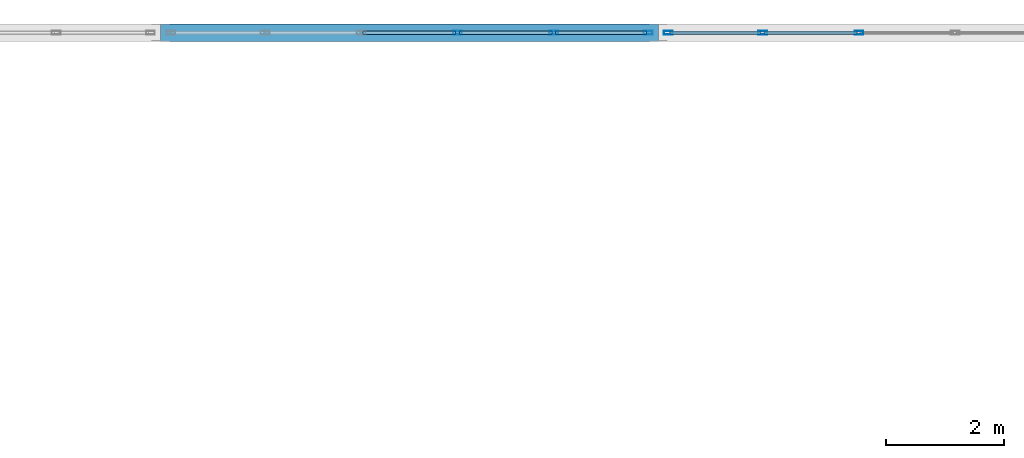
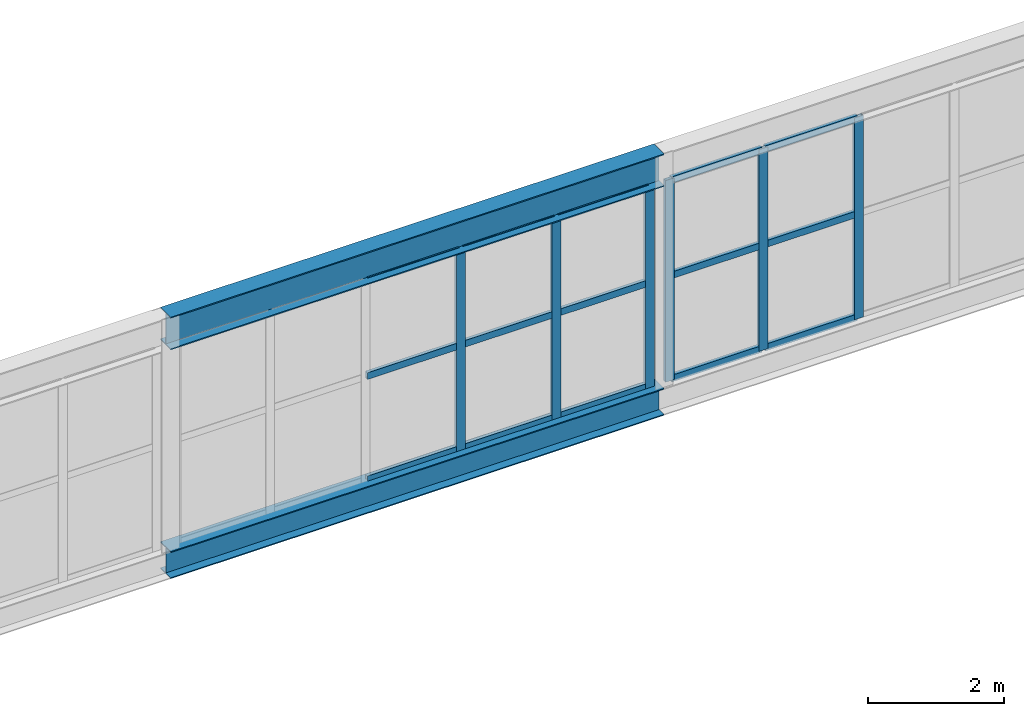
# One storey, part 163 of 218: 21 members, 2 beams, 2 elements without a shape of their own.
"""IFC4 building model written with IfcOpenShell, lengths in metres."""

from ifc_helpers import new_model, si_unit, direction, frame, origin, origin_2d, place, context, subcontext, project, spatial, hollow_rectangle, i_section, extrude, material, material_profile, profile_set, type_object, element, aggregate, save


model = new_model("IFC4")

# Units and contexts
model_context = context("Model", 3, precision=1e-05, world=origin(), true_north=direction((0.0, 1.0)))
body_context = subcontext(model_context, "Body", "Model", "MODEL_VIEW")
ifc_project = project(units=[si_unit("LENGTHUNIT", "METRE"), si_unit("AREAUNIT", "SQUARE_METRE"), si_unit("VOLUMEUNIT", "CUBIC_METRE"), si_unit("PLANEANGLEUNIT", "RADIAN"), si_unit("MASSUNIT", "GRAM", prefix="KILO")], contexts=[model_context])

# Site, building, storey
site_placement = place(None, origin())
site = spatial("IfcSite", under=ifc_project, at=site_placement, CompositionType="ELEMENT")
building_placement = place(site_placement, origin())
building = spatial("IfcBuilding", under=site, at=building_placement, Name="Kazenagashi Tramway Depot", CompositionType="ELEMENT")
storey_placement = place(building_placement, frame((0.0, 0.0, 6.0)))
storey = spatial("IfcBuildingStorey", under=building, at=storey_placement, Name="L02", CompositionType="ELEMENT", Elevation=6.0)

# Curtain wall, members
ifc_material_1 = material(Name="Anodised Aluminium and Low-E Glazing", Category="aluminium")
curtain_wall_type = type_object("IfcCurtainWallType", Name="CW-15", PredefinedType="USERDEFINED", material=ifc_material_1)
curtain_wall_1_placement = place(storey_placement, origin())
curtain_wall_1 = element("IfcCurtainWall", 1, at=curtain_wall_1_placement, inside=storey, type_object=curtain_wall_type, Name="Industrial Glazed Screen CW-15 CW-0062", ObjectType="GLAZED SCREEN", PredefinedType="USERDEFINED")
ifc_material_2 = material(Name="Anodised Aluminium", Category="aluminium")
ifc_material_profile_1 = material_profile(ifc_material_2, hollow_rectangle(XDim=0.06, YDim=0.15, WallThickness=0.004, at=origin_2d()), Name="RHS-150x60x4")
ifc_profile_set_1 = profile_set([ifc_material_profile_1], Name="Anodised Aluminium")
member_type_1 = type_object("IfcMemberType", Name="ML-01", PredefinedType="MULLION", material=ifc_profile_set_1)
member_1_placement = place(storey_placement, frame((75.012, 130.0, -0.02), z_axis=(0.0, 0.0, 1.0), x_axis=(0.0, 1.0, 0.0)))
member_1 = element("IfcMember", 2, at=member_1_placement, type_object=member_type_1, Name="CW-15 mullion 4", PredefinedType="MULLION", context=body_context, shape_type="SweptSolid", body=[
    extrude(hollow_rectangle(XDim=0.06, YDim=0.15, WallThickness=0.004, at=origin_2d()), origin(), (0.0, 0.0, 1.0), 3.632),
])
member_2_placement = place(storey_placement, frame((76.636, 130.0, -0.02), z_axis=(0.0, 0.0, 1.0), x_axis=(0.0, 1.0, 0.0)))
member_2 = element("IfcMember", 3, at=member_2_placement, type_object=member_type_1, Name="CW-15 mullion 5", PredefinedType="MULLION", context=body_context, shape_type="SweptSolid", body=[
    extrude(hollow_rectangle(XDim=0.06, YDim=0.15, WallThickness=0.004, at=origin_2d()), origin(), (0.0, 0.0, 1.0), 3.632),
])
member_3_placement = place(storey_placement, frame((78.23, 130.0, -0.02), z_axis=(0.0, 0.0, 1.0), x_axis=(0.0, 1.0, 0.0)))
member_3 = element("IfcMember", 4, at=member_3_placement, type_object=member_type_1, Name="CW-15 mullion 6", PredefinedType="MULLION", context=body_context, shape_type="SweptSolid", body=[
    extrude(hollow_rectangle(XDim=0.06, YDim=0.15, WallThickness=0.004, at=origin_2d()), origin(), (0.0, 0.0, 1.0), 3.632),
])

curtain_wall_2_placement = place(storey_placement, origin())
curtain_wall_2 = element("IfcCurtainWall", 5, at=curtain_wall_2_placement, inside=storey, type_object=curtain_wall_type, Name="Industrial Glazed Screen CW-15 CW-0065", ObjectType="GLAZED SCREEN", PredefinedType="USERDEFINED")
member_4_placement = place(storey_placement, frame((78.57, 130.0, -0.02), z_axis=(0.0, 0.0, 1.0), x_axis=(0.0, 1.0, 0.0)))
member_4 = element("IfcMember", 6, at=member_4_placement, type_object=member_type_1, Name="CW-15 mullion 1", PredefinedType="MULLION", context=body_context, shape_type="SweptSolid", body=[
    extrude(hollow_rectangle(XDim=0.06, YDim=0.15, WallThickness=0.004, at=origin_2d()), origin(), (0.0, 0.0, 1.0), 3.632),
])
member_5_placement = place(storey_placement, frame((80.164, 130.0, -0.02), z_axis=(0.0, 0.0, 1.0), x_axis=(0.0, 1.0, 0.0)))
member_5 = element("IfcMember", 7, at=member_5_placement, type_object=member_type_1, Name="CW-15 mullion 2", PredefinedType="MULLION", context=body_context, shape_type="SweptSolid", body=[
    extrude(hollow_rectangle(XDim=0.06, YDim=0.15, WallThickness=0.004, at=origin_2d()), origin(), (0.0, 0.0, 1.0), 3.632),
])
member_6_placement = place(storey_placement, frame((81.788, 130.0, -0.02), z_axis=(0.0, 0.0, 1.0), x_axis=(0.0, 1.0, 0.0)))
member_6 = element("IfcMember", 8, at=member_6_placement, type_object=member_type_1, Name="CW-15 mullion 3", PredefinedType="MULLION", context=body_context, shape_type="SweptSolid", body=[
    extrude(hollow_rectangle(XDim=0.06, YDim=0.15, WallThickness=0.004, at=origin_2d()), origin(), (0.0, 0.0, 1.0), 3.632),
])

# Beams
ifc_material_3 = material(Name="Steel SN490B", Category="steel")
ifc_material_profile_2 = material_profile(ifc_material_3, i_section(OverallWidth=0.3, OverallDepth=0.588, WebThickness=0.012, FlangeThickness=0.02, at=origin_2d()), Name="H-588x300x12x20")
ifc_profile_set_2 = profile_set([ifc_material_profile_2], Name="Steel SN490B")
beam_type_1 = type_object("IfcBeamType", Name="SP-01", PredefinedType="SPANDREL", material=ifc_profile_set_2)
beam_1_placement = place(storey_placement, frame((70.0, 130.0, 3.906), z_axis=(1.0, 0.0, 0.0), x_axis=(0.0, 1.0, 0.0)))
element("IfcBeam", 9, at=beam_1_placement, inside=storey, type_object=beam_type_1, Name="Beam SP-01 BM-1883", PredefinedType="SPANDREL", context=body_context, shape_type="SweptSolid", body=[
    extrude(i_section(OverallWidth=0.3, OverallDepth=0.588, WebThickness=0.012, FlangeThickness=0.02, at=origin_2d()), origin(), (0.0, 0.0, 1.0), 8.4),
])
ifc_material_profile_3 = material_profile(ifc_material_3, i_section(OverallWidth=0.3, OverallDepth=0.488, WebThickness=0.011, FlangeThickness=0.018, at=origin_2d()), Name="H-488x300x11x18")
ifc_profile_set_3 = profile_set([ifc_material_profile_3], Name="Steel SN490B")
beam_type_2 = type_object("IfcBeamType", Name="SP-02", PredefinedType="SPANDREL", material=ifc_profile_set_3)
beam_2_placement = place(storey_placement, frame((70.0, 130.0, -0.264), z_axis=(1.0, 0.0, 0.0), x_axis=(0.0, 1.0, 0.0)))
element("IfcBeam", 10, at=beam_2_placement, inside=storey, type_object=beam_type_2, Name="Beam SP-02 BM-1827", PredefinedType="SPANDREL", context=body_context, shape_type="SweptSolid", body=[
    extrude(i_section(OverallWidth=0.3, OverallDepth=0.488, WebThickness=0.011, FlangeThickness=0.018, at=origin_2d()), origin(), (0.0, 0.0, 1.0), 8.4),
])

# Member
ifc_material_profile_4 = material_profile(ifc_material_2, hollow_rectangle(XDim=0.06, YDim=0.12, WallThickness=0.004, at=origin_2d()), Name="RHS-120x60x4")
ifc_profile_set_4 = profile_set([ifc_material_profile_4], Name="Anodised Aluminium")
member_type_2 = type_object("IfcMemberType", Name="TR-01", PredefinedType="USERDEFINED", material=ifc_profile_set_4)
member_7_placement = place(storey_placement, frame((73.418, 130.0, 0.01), z_axis=(1.0, 0.0, 0.0), x_axis=(0.0, 1.0, 0.0)))
member_7 = element("IfcMember", 11, at=member_7_placement, type_object=member_type_2, Name="CW-15 transom 3.1", ObjectType="TRANSOM", PredefinedType="USERDEFINED", context=body_context, shape_type="SweptSolid", body=[
    extrude(hollow_rectangle(XDim=0.06, YDim=0.12, WallThickness=0.004, at=origin_2d()), origin(), (0.0, 0.0, 1.0), 1.564),
])

member_8_placement = place(storey_placement, frame((73.418, 130.0, 1.869), z_axis=(1.0, 0.0, 0.0), x_axis=(0.0, 1.0, 0.0)))
member_8 = element("IfcMember", 12, at=member_8_placement, type_object=member_type_2, Name="CW-15 transom 3.2", ObjectType="TRANSOM", PredefinedType="USERDEFINED", context=body_context, shape_type="SweptSolid", body=[
    extrude(hollow_rectangle(XDim=0.06, YDim=0.12, WallThickness=0.004, at=origin_2d()), origin(), (0.0, 0.0, 1.0), 1.564),
])

member_9_placement = place(storey_placement, frame((73.418, 130.0, 3.582), z_axis=(1.0, 0.0, 0.0), x_axis=(0.0, 1.0, 0.0)))
member_9 = element("IfcMember", 13, at=member_9_placement, type_object=member_type_2, Name="CW-15 transom 3.3", ObjectType="TRANSOM", PredefinedType="USERDEFINED", context=body_context, shape_type="SweptSolid", body=[
    extrude(hollow_rectangle(XDim=0.06, YDim=0.12, WallThickness=0.004, at=origin_2d()), origin(), (0.0, 0.0, 1.0), 1.564),
])

member_10_placement = place(storey_placement, frame((75.042, 130.0, 0.01), z_axis=(1.0, 0.0, 0.0), x_axis=(0.0, 1.0, 0.0)))
member_10 = element("IfcMember", 14, at=member_10_placement, type_object=member_type_2, Name="CW-15 transom 4.1", ObjectType="TRANSOM", PredefinedType="USERDEFINED", context=body_context, shape_type="SweptSolid", body=[
    extrude(hollow_rectangle(XDim=0.06, YDim=0.12, WallThickness=0.004, at=origin_2d()), origin(), (0.0, 0.0, 1.0), 1.564),
])

member_11_placement = place(storey_placement, frame((75.042, 130.0, 1.869), z_axis=(1.0, 0.0, 0.0), x_axis=(0.0, 1.0, 0.0)))
member_11 = element("IfcMember", 15, at=member_11_placement, type_object=member_type_2, Name="CW-15 transom 4.2", ObjectType="TRANSOM", PredefinedType="USERDEFINED", context=body_context, shape_type="SweptSolid", body=[
    extrude(hollow_rectangle(XDim=0.06, YDim=0.12, WallThickness=0.004, at=origin_2d()), origin(), (0.0, 0.0, 1.0), 1.564),
])

member_12_placement = place(storey_placement, frame((75.042, 130.0, 3.582), z_axis=(1.0, 0.0, 0.0), x_axis=(0.0, 1.0, 0.0)))
member_12 = element("IfcMember", 16, at=member_12_placement, type_object=member_type_2, Name="CW-15 transom 4.3", ObjectType="TRANSOM", PredefinedType="USERDEFINED", context=body_context, shape_type="SweptSolid", body=[
    extrude(hollow_rectangle(XDim=0.06, YDim=0.12, WallThickness=0.004, at=origin_2d()), origin(), (0.0, 0.0, 1.0), 1.564),
])

member_13_placement = place(storey_placement, frame((76.666, 130.0, 0.01), z_axis=(1.0, 0.0, 0.0), x_axis=(0.0, 1.0, 0.0)))
member_13 = element("IfcMember", 17, at=member_13_placement, type_object=member_type_2, Name="CW-15 transom 5.1", ObjectType="TRANSOM", PredefinedType="USERDEFINED", context=body_context, shape_type="SweptSolid", body=[
    extrude(hollow_rectangle(XDim=0.06, YDim=0.12, WallThickness=0.004, at=origin_2d()), origin(), (0.0, 0.0, 1.0), 1.534),
])

member_14_placement = place(storey_placement, frame((76.666, 130.0, 1.869), z_axis=(1.0, 0.0, 0.0), x_axis=(0.0, 1.0, 0.0)))
member_14 = element("IfcMember", 18, at=member_14_placement, type_object=member_type_2, Name="CW-15 transom 5.2", ObjectType="TRANSOM", PredefinedType="USERDEFINED", context=body_context, shape_type="SweptSolid", body=[
    extrude(hollow_rectangle(XDim=0.06, YDim=0.12, WallThickness=0.004, at=origin_2d()), origin(), (0.0, 0.0, 1.0), 1.534),
])

member_15_placement = place(storey_placement, frame((76.666, 130.0, 3.582), z_axis=(1.0, 0.0, 0.0), x_axis=(0.0, 1.0, 0.0)))
member_15 = element("IfcMember", 19, at=member_15_placement, type_object=member_type_2, Name="CW-15 transom 5.3", ObjectType="TRANSOM", PredefinedType="USERDEFINED", context=body_context, shape_type="SweptSolid", body=[
    extrude(hollow_rectangle(XDim=0.06, YDim=0.12, WallThickness=0.004, at=origin_2d()), origin(), (0.0, 0.0, 1.0), 1.534),
])

aggregate(curtain_wall_1, [member_1, member_2, member_3, member_7, member_8, member_9, member_10, member_11, member_12, member_13, member_14, member_15])

member_16_placement = place(storey_placement, frame((78.6, 130.0, 0.01), z_axis=(1.0, 0.0, 0.0), x_axis=(0.0, 1.0, 0.0)))
member_16 = element("IfcMember", 20, at=member_16_placement, type_object=member_type_2, Name="CW-15 transom 1.1", ObjectType="TRANSOM", PredefinedType="USERDEFINED", context=body_context, shape_type="SweptSolid", body=[
    extrude(hollow_rectangle(XDim=0.06, YDim=0.12, WallThickness=0.004, at=origin_2d()), origin(), (0.0, 0.0, 1.0), 1.534),
])

member_17_placement = place(storey_placement, frame((78.6, 130.0, 1.869), z_axis=(1.0, 0.0, 0.0), x_axis=(0.0, 1.0, 0.0)))
member_17 = element("IfcMember", 21, at=member_17_placement, type_object=member_type_2, Name="CW-15 transom 1.2", ObjectType="TRANSOM", PredefinedType="USERDEFINED", context=body_context, shape_type="SweptSolid", body=[
    extrude(hollow_rectangle(XDim=0.06, YDim=0.12, WallThickness=0.004, at=origin_2d()), origin(), (0.0, 0.0, 1.0), 1.534),
])

member_18_placement = place(storey_placement, frame((78.6, 130.0, 3.582), z_axis=(1.0, 0.0, 0.0), x_axis=(0.0, 1.0, 0.0)))
member_18 = element("IfcMember", 22, at=member_18_placement, type_object=member_type_2, Name="CW-15 transom 1.3", ObjectType="TRANSOM", PredefinedType="USERDEFINED", context=body_context, shape_type="SweptSolid", body=[
    extrude(hollow_rectangle(XDim=0.06, YDim=0.12, WallThickness=0.004, at=origin_2d()), origin(), (0.0, 0.0, 1.0), 1.534),
])

member_19_placement = place(storey_placement, frame((80.194, 130.0, 0.01), z_axis=(1.0, 0.0, 0.0), x_axis=(0.0, 1.0, 0.0)))
member_19 = element("IfcMember", 23, at=member_19_placement, type_object=member_type_2, Name="CW-15 transom 2.1", ObjectType="TRANSOM", PredefinedType="USERDEFINED", context=body_context, shape_type="SweptSolid", body=[
    extrude(hollow_rectangle(XDim=0.06, YDim=0.12, WallThickness=0.004, at=origin_2d()), origin(), (0.0, 0.0, 1.0), 1.564),
])

member_20_placement = place(storey_placement, frame((80.194, 130.0, 1.869), z_axis=(1.0, 0.0, 0.0), x_axis=(0.0, 1.0, 0.0)))
member_20 = element("IfcMember", 24, at=member_20_placement, type_object=member_type_2, Name="CW-15 transom 2.2", ObjectType="TRANSOM", PredefinedType="USERDEFINED", context=body_context, shape_type="SweptSolid", body=[
    extrude(hollow_rectangle(XDim=0.06, YDim=0.12, WallThickness=0.004, at=origin_2d()), origin(), (0.0, 0.0, 1.0), 1.564),
])

member_21_placement = place(storey_placement, frame((80.194, 130.0, 3.582), z_axis=(1.0, 0.0, 0.0), x_axis=(0.0, 1.0, 0.0)))
member_21 = element("IfcMember", 25, at=member_21_placement, type_object=member_type_2, Name="CW-15 transom 2.3", ObjectType="TRANSOM", PredefinedType="USERDEFINED", context=body_context, shape_type="SweptSolid", body=[
    extrude(hollow_rectangle(XDim=0.06, YDim=0.12, WallThickness=0.004, at=origin_2d()), origin(), (0.0, 0.0, 1.0), 1.564),
])

aggregate(curtain_wall_2, [member_4, member_5, member_6, member_16, member_17, member_18, member_19, member_20, member_21])

save(model, "model.ifc")
